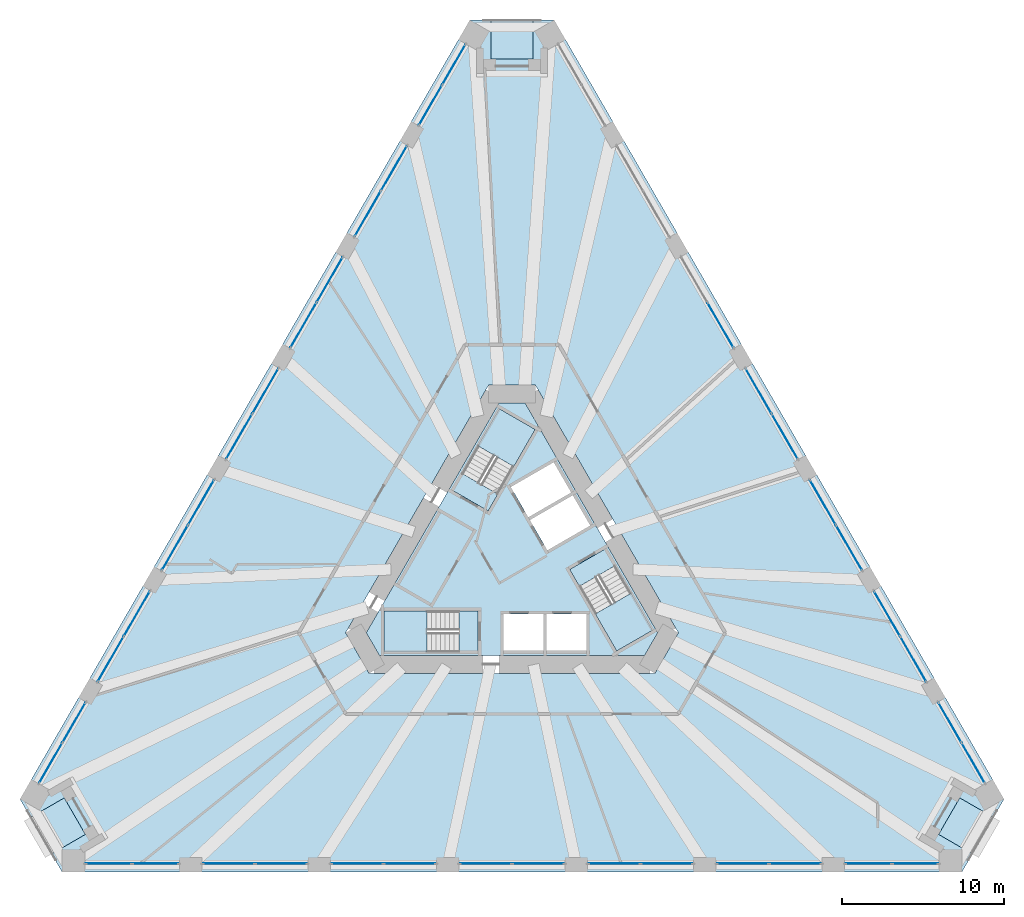
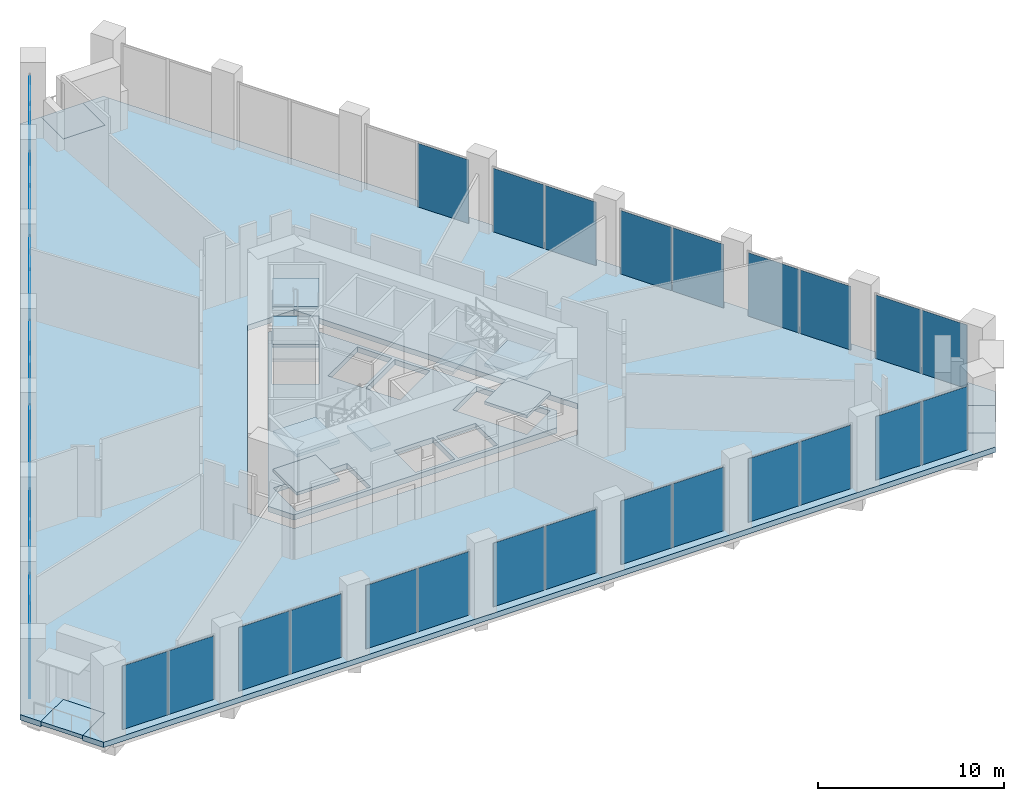
# One storey, part 12 of 20: 37 plates, 14 slabs, 22 elements without a shape of their own.
"""IFC4 building model written with IfcOpenShell, lengths in metres."""

import ifcopenshell
import ifcopenshell.guid

model = None  # the IFC model being written
_history = None  # IfcOwnerHistory: only IFC2X3 demands one
_inside = {}  # id of a spatial element -> (the spatial element, [elements in it])
_under = {}  # id of a project, library or spatial element -> (it, [spatial elements below it])
_declared = {}  # id of a project -> (the project, [libraries it declares])
_typed = {}  # id of a type object -> (the type object, [elements of that type])
_made_of = {}  # id of a material, layer set ... -> (it, [elements and type objects made of it])


def new_model(schema):
    """Start an empty IFC model of exactly this schema.

    Asked for "IFC4X3", IfcOpenShell would pick the latest addendum, in which some entities
    have other attributes; the version numbers below select the first issue.
    IFC2X3 requires an IfcOwnerHistory on every rooted entity: one is made here for all.
    """
    global model, _history
    if schema == "IFC4X3":
        model = ifcopenshell.file(schema_version=(4, 3, 0, 0))
    else:
        model = ifcopenshell.file(schema=schema)
    _inside.clear()
    _under.clear()
    _declared.clear()
    _typed.clear()
    _made_of.clear()
    _history = None
    if model.schema == "IFC2X3":
        org = make("IfcOrganization", Name="unknown")
        user = make(
            "IfcPersonAndOrganization",
            ThePerson=make("IfcPerson", FamilyName="unknown"),
            TheOrganization=org,
        )
        app = make(
            "IfcApplication",
            ApplicationDeveloper=org,
            Version="unknown",
            ApplicationFullName="unknown",
            ApplicationIdentifier="unknown",
        )
        _history = make(
            "IfcOwnerHistory",
            OwningUser=user,
            OwningApplication=app,
            ChangeAction="ADDED",
            CreationDate=0,
        )
    return model


def make(cls, **values):
    """One entity of the class cls with the attributes given. An attribute that is None is left unset."""
    return model.create_entity(
        cls, **{name: value for name, value in values.items() if value is not None}
    )


def rooted(cls, **values):
    """An entity with a GlobalId (a new one), such as an element, a storey or a relation."""
    return make(cls, GlobalId=ifcopenshell.guid.new(), OwnerHistory=_history, **values)


def si_unit(unit_type, name, prefix=None):
    """IfcSIUnit, for example si_unit("LENGTHUNIT", "METRE", prefix="MILLI")."""
    return make("IfcSIUnit", UnitType=unit_type, Prefix=prefix, Name=name)


def assignment(units):
    """IfcUnitAssignment: the units of a project."""
    return None if units is None else make("IfcUnitAssignment", Units=units)


def point(xyz):
    """IfcCartesianPoint."""
    return None if xyz is None else make("IfcCartesianPoint", Coordinates=xyz)


def direction(xyz):
    """IfcDirection."""
    return None if xyz is None else make("IfcDirection", DirectionRatios=xyz)


def frame(location, z_axis=None, x_axis=None):
    """IfcAxis2Placement3D, a coordinate frame: its origin and axes. An axis left out is left unset."""
    return make(
        "IfcAxis2Placement3D",
        Location=point(location),
        Axis=direction(z_axis),
        RefDirection=direction(x_axis),
    )


def frame_2d(location, x_axis=None):
    """IfcAxis2Placement2D, a coordinate frame in the plane: its origin and x axis."""
    return make(
        "IfcAxis2Placement2D", Location=point(location), RefDirection=direction(x_axis)
    )


def origin():
    """The frame at (0, 0, 0) with its axes left unset."""
    return frame((0.0, 0.0, 0.0))


def origin_2d():
    """The frame at (0, 0) in the plane with its x axis left unset."""
    return frame_2d((0.0, 0.0))


def place(relative_to, where):
    """IfcLocalPlacement: puts the frame where relative to a parent placement (None: the world)."""
    return make(
        "IfcLocalPlacement", PlacementRelTo=relative_to, RelativePlacement=where
    )


def context(
    kind, dimensions, precision=None, world=None, true_north=None, identifier=None
):
    """IfcGeometricRepresentationContext, for example the 3D "Model" context."""
    return make(
        "IfcGeometricRepresentationContext",
        ContextIdentifier=identifier,
        ContextType=kind,
        CoordinateSpaceDimension=dimensions,
        Precision=precision,
        WorldCoordinateSystem=world,
        TrueNorth=true_north,
    )


def subcontext(parent, identifier, kind, view, scale=None):
    """IfcGeometricRepresentationSubContext, for example "Body" below "Model"."""
    return make(
        "IfcGeometricRepresentationSubContext",
        ContextIdentifier=identifier,
        ContextType=kind,
        ParentContext=parent,
        TargetScale=scale,
        TargetView=view,
    )


def project(units=None, contexts=None):
    """IfcProject with its units and contexts."""
    return rooted(
        "IfcProject",
        Name="project",
        RepresentationContexts=contexts,
        UnitsInContext=assignment(units),
    )


def spatial(cls, under=None, at=None, **own):
    """A site, building, storey or space (cls), placed at a placement, below another one or the project."""
    s = rooted(cls, ObjectPlacement=at, **own)
    if under is not None:
        _under.setdefault(under.id(), (under, []))[1].append(s)
    return s


def polyline(points):
    """IfcPolyline through the points."""
    return make("IfcPolyline", Points=[point(p) for p in points])


def profile(cls, at=None, kind="AREA", **sizes):
    """A parametric profile (cls). Its sizes go by their IFC names, for example OverallWidth=200.0."""
    return make(cls, ProfileType=kind, Position=at, **sizes)


def rectangle(**sizes):
    """IfcRectangleProfileDef."""
    return profile("IfcRectangleProfileDef", **sizes)


def outline(outer, holes=None, kind="AREA"):
    """IfcArbitraryClosedProfileDef: a profile drawn as a closed curve; with holes, ...WithVoids."""
    if holes is None:
        return make("IfcArbitraryClosedProfileDef", ProfileType=kind, OuterCurve=outer)
    return make(
        "IfcArbitraryProfileDefWithVoids",
        ProfileType=kind,
        OuterCurve=outer,
        InnerCurves=holes,
    )


def extrude(swept, where, along, depth):
    """IfcExtrudedAreaSolid: the profile swept, set in the frame where, extruded along a direction by depth."""
    return make(
        "IfcExtrudedAreaSolid",
        SweptArea=swept,
        Position=where,
        ExtrudedDirection=direction(along),
        Depth=depth,
    )


def shape(context_of_items, identifier, shape_type, items):
    """IfcShapeRepresentation: the items that make up one representation, for example the "Body"."""
    return make(
        "IfcShapeRepresentation",
        ContextOfItems=context_of_items,
        RepresentationIdentifier=identifier,
        RepresentationType=shape_type,
        Items=items,
    )


def material(Name=None, Category=None):
    """IfcMaterial."""
    return make("IfcMaterial", Name=Name, Category=Category)


def layer(
    of_material, thickness, ventilated=None, Name=None, Category=None, Priority=None
):
    """IfcMaterialLayer: one layer of a wall or slab, of a material (None: an air gap)."""
    return make(
        "IfcMaterialLayer",
        Material=of_material,
        LayerThickness=thickness,
        IsVentilated=ventilated,
        Name=Name,
        Category=Category,
        Priority=Priority,
    )


def layer_set(layers, Name=None):
    """IfcMaterialLayerSet."""
    return make("IfcMaterialLayerSet", MaterialLayers=layers, LayerSetName=Name)


def made_of(thing, what):
    """Note that an element or type object is made of a material, layer set ...; save() writes the relation."""
    if what is not None:
        _made_of.setdefault(what.id(), (what, []))[1].append(thing)
    return thing


def type_object(cls, material=None, **own):
    """A type object (cls), such as IfcWallType, which elements share."""
    return made_of(rooted(cls, **own), material)


def element(
    cls,
    number,
    at=None,
    inside=None,
    cuts=None,
    type_object=None,
    material=None,
    context=None,
    identifier="Body",
    shape_type=None,
    held_by="IfcProductDefinitionShape",
    body=None,
    shapes=None,
    **own,
):
    """One element of the class cls, such as IfcWall. Its Tag is "e" and its number.

    at: its placement. inside: the storey or other place that contains it. cuts: it is an
    opening in that element (IfcRelVoidsElement). A single representation is given by context,
    identifier, shape_type and body (its items); several are given by shapes. held_by: the class
    of the entity that holds the representations. save() writes the other relations.
    """
    e = rooted(cls, Tag="e%d" % number, ObjectPlacement=at, **own)
    if body is not None:
        shapes = [shape(context, identifier, shape_type, body)]
    if shapes is not None:
        e.Representation = make(held_by, Representations=shapes)
    if inside is not None:
        _inside.setdefault(inside.id(), (inside, []))[1].append(e)
    if cuts is not None:
        rooted(
            "IfcRelVoidsElement", RelatingBuildingElement=cuts, RelatedOpeningElement=e
        )
    if type_object is not None:
        _typed.setdefault(type_object.id(), (type_object, []))[1].append(e)
    return made_of(e, material)


def aggregate(whole, parts):
    """IfcRelAggregates: a whole, such as a stair, and the parts it consists of."""
    return rooted("IfcRelAggregates", RelatingObject=whole, RelatedObjects=parts)


def save(model, path):
    """Write the relations noted so far, then the file.

    IfcRelAggregates (storeys below a building ...), IfcRelContainedInSpatialStructure (elements
    in a storey), IfcRelDefinesByType, IfcRelAssociatesMaterial and IfcRelDeclares: one each for
    every whole, place, type object, material and project.
    """
    for whole, parts in _under.values():
        aggregate(whole, parts)
    for where, things in _inside.values():
        rooted(
            "IfcRelContainedInSpatialStructure",
            RelatedElements=things,
            RelatingStructure=where,
        )
    for kind, things in _typed.values():
        rooted("IfcRelDefinesByType", RelatedObjects=things, RelatingType=kind)
    for what, things in _made_of.values():
        rooted("IfcRelAssociatesMaterial", RelatedObjects=things, RelatingMaterial=what)
    for by, libraries in _declared.values():
        rooted("IfcRelDeclares", RelatingContext=by, RelatedDefinitions=libraries)
    model.write(path)


model = new_model("IFC4")

# Units and contexts
model_context = context("Model", 3, precision=1e-05, world=origin(), true_north=direction((0.0, 1.0)))
body_context = subcontext(model_context, "Body", "Model", "MODEL_VIEW")
ifc_project = project(units=[si_unit("LENGTHUNIT", "METRE"), si_unit("AREAUNIT", "SQUARE_METRE"), si_unit("VOLUMEUNIT", "CUBIC_METRE"), si_unit("PLANEANGLEUNIT", "RADIAN"), si_unit("MASSUNIT", "GRAM", prefix="KILO")], contexts=[model_context])

# Site, building, storey
site_placement = place(None, origin())
site = spatial("IfcSite", under=ifc_project, at=site_placement, CompositionType="ELEMENT")
building_placement = place(site_placement, origin())
building = spatial("IfcBuilding", under=site, at=building_placement, Name="Tramontana Tower", CompositionType="ELEMENT")
storey_placement = place(building_placement, frame((0.0, 0.0, 10.0)))
storey = spatial("IfcBuildingStorey", under=building, at=storey_placement, Name="L01", CompositionType="ELEMENT", Elevation=10.0)

# Curtain wall, plates
ifc_material_1 = material(Name="Aluminum extrusion", Category="aluminium")
ifc_layer_1 = layer(ifc_material_1, 0.14990234375)
ifc_layer_set_1 = layer_set([ifc_layer_1], Name="CW2 Podium amenity curtain wall")
curtain_wall_type = type_object("IfcCurtainWallType", Name="CW2 Podium amenity curtain wall", PredefinedType="NOTDEFINED", material=ifc_layer_set_1)
curtain_wall_1_placement = place(storey_placement, origin())
curtain_wall_1 = element("IfcCurtainWall", 1, at=curtain_wall_1_placement, inside=storey, type_object=curtain_wall_type, Name="CW2 curtain wall L01 face 0 bay 1", PredefinedType="NOTDEFINED")
ifc_material_2 = material(Name="Low-iron double glazing unit", Category="glass")
ifc_layer_2 = layer(ifc_material_2, 0.031982421875)
ifc_layer_set_2 = layer_set([ifc_layer_2], Name="CW2-P Glazing panel 32")
plate_type = type_object("IfcPlateType", Name="CW2-P Glazing panel 32", PredefinedType="CURTAIN_PANEL", material=ifc_layer_set_2)
plate_1_placement = place(storey_placement, frame((-3.578125, 30.75244140625, 0.0), z_axis=(0.0, 0.0, 1.0), x_axis=(-0.5, -0.866025403784, 0.0)))
plate_1 = element("IfcPlate", 2, at=plate_1_placement, type_object=plate_type, Name="CW2 curtain wall L01 face 0 bay 1 panel 1.1", PredefinedType="CURTAIN_PANEL", context=body_context, shape_type="SweptSolid", body=[
    extrude(rectangle(XDim=2.819091796875, YDim=0.031982421875, at=origin_2d()), origin(), (0.0, 0.0, 1.0), 4.179931640625),
])
plate_2_placement = place(storey_placement, frame((-5.017578125, 28.25927734375, 0.0), z_axis=(0.0, 0.0, 1.0), x_axis=(-0.5, -0.866025403784, 0.0)))
plate_2 = element("IfcPlate", 3, at=plate_2_placement, type_object=plate_type, Name="CW2 curtain wall L01 face 0 bay 1 panel 2.1", PredefinedType="CURTAIN_PANEL", context=body_context, shape_type="SweptSolid", body=[
    extrude(rectangle(XDim=2.819091796875, YDim=0.031982421875, at=origin_2d()), origin(), (0.0, 0.0, 1.0), 4.179931640625),
])
aggregate(curtain_wall_1, [plate_1, plate_2])

curtain_wall_2_placement = place(storey_placement, origin())
curtain_wall_2 = element("IfcCurtainWall", 4, at=curtain_wall_2_placement, inside=storey, type_object=curtain_wall_type, Name="CW2 curtain wall L01 face 0 bay 2", PredefinedType="NOTDEFINED")
plate_3_placement = place(storey_placement, frame((-7.274658203125, 24.349853515625, 0.0), z_axis=(0.0, 0.0, 1.0), x_axis=(-0.5, -0.866025403784, 0.0)))
plate_3 = element("IfcPlate", 5, at=plate_3_placement, type_object=plate_type, Name="CW2 curtain wall L01 face 0 bay 2 panel 1.1", PredefinedType="CURTAIN_PANEL", context=body_context, shape_type="SweptSolid", body=[
    extrude(rectangle(XDim=3.1689453125, YDim=0.031982421875, at=origin_2d()), origin(), (0.0, 0.0, 1.0), 4.179931640625),
])
plate_4_placement = place(storey_placement, frame((-8.88916015625, 21.5537109375, 0.0), z_axis=(0.0, 0.0, 1.0), x_axis=(-0.5, -0.866025403784, 0.0)))
plate_4 = element("IfcPlate", 6, at=plate_4_placement, type_object=plate_type, Name="CW2 curtain wall L01 face 0 bay 2 panel 2.1", PredefinedType="CURTAIN_PANEL", context=body_context, shape_type="SweptSolid", body=[
    extrude(rectangle(XDim=3.1689453125, YDim=0.031982421875, at=origin_2d()), origin(), (0.0, 0.0, 1.0), 4.179931640625),
])
aggregate(curtain_wall_2, [plate_3, plate_4])

curtain_wall_3_placement = place(storey_placement, origin())
curtain_wall_3 = element("IfcCurtainWall", 7, at=curtain_wall_3_placement, inside=storey, type_object=curtain_wall_type, Name="CW2 curtain wall L01 face 0 bay 3", PredefinedType="NOTDEFINED")
plate_5_placement = place(storey_placement, frame((-11.233642578125, 17.492919921875, 0.0), z_axis=(0.0, 0.0, 1.0), x_axis=(-0.5, -0.866025403784, 0.0)))
plate_5 = element("IfcPlate", 8, at=plate_5_placement, type_object=plate_type, Name="CW2 curtain wall L01 face 0 bay 3 panel 1.1", PredefinedType="CURTAIN_PANEL", context=body_context, shape_type="SweptSolid", body=[
    extrude(rectangle(XDim=3.1689453125, YDim=0.031982421875, at=origin_2d()), origin(), (0.0, 0.0, 1.0), 4.179931640625),
])
plate_6_placement = place(storey_placement, frame((-12.84814453125, 14.696533203125, 0.0), z_axis=(0.0, 0.0, 1.0), x_axis=(-0.5, -0.866025403784, 0.0)))
plate_6 = element("IfcPlate", 9, at=plate_6_placement, type_object=plate_type, Name="CW2 curtain wall L01 face 0 bay 3 panel 2.1", PredefinedType="CURTAIN_PANEL", context=body_context, shape_type="SweptSolid", body=[
    extrude(rectangle(XDim=3.1689453125, YDim=0.031982421875, at=origin_2d()), origin(), (0.0, 0.0, 1.0), 4.179931640625),
])
aggregate(curtain_wall_3, [plate_5, plate_6])

curtain_wall_4_placement = place(storey_placement, origin())
curtain_wall_4 = element("IfcCurtainWall", 10, at=curtain_wall_4_placement, inside=storey, type_object=curtain_wall_type, Name="CW2 curtain wall L01 face 0 bay 4", PredefinedType="NOTDEFINED")
plate_7_placement = place(storey_placement, frame((-15.192626953125, 10.6357421875, 0.0), z_axis=(0.0, 0.0, 1.0), x_axis=(-0.5, -0.866025403784, 0.0)))
plate_7 = element("IfcPlate", 11, at=plate_7_placement, type_object=plate_type, Name="CW2 curtain wall L01 face 0 bay 4 panel 1.1", PredefinedType="CURTAIN_PANEL", context=body_context, shape_type="SweptSolid", body=[
    extrude(rectangle(XDim=3.1689453125, YDim=0.031982421875, at=origin_2d()), origin(), (0.0, 0.0, 1.0), 4.179931640625),
])
plate_8_placement = place(storey_placement, frame((-16.80712890625, 7.83935546875, 0.0), z_axis=(0.0, 0.0, 1.0), x_axis=(-0.5, -0.866025403784, 0.0)))
plate_8 = element("IfcPlate", 12, at=plate_8_placement, type_object=plate_type, Name="CW2 curtain wall L01 face 0 bay 4 panel 2.1", PredefinedType="CURTAIN_PANEL", context=body_context, shape_type="SweptSolid", body=[
    extrude(rectangle(XDim=3.1689453125, YDim=0.031982421875, at=origin_2d()), origin(), (0.0, 0.0, 1.0), 4.179931640625),
])
aggregate(curtain_wall_4, [plate_7, plate_8])

curtain_wall_5_placement = place(storey_placement, origin())
curtain_wall_5 = element("IfcCurtainWall", 13, at=curtain_wall_5_placement, inside=storey, type_object=curtain_wall_type, Name="CW2 curtain wall L01 face 0 bay 5", PredefinedType="NOTDEFINED")
plate_9_placement = place(storey_placement, frame((-19.151611328125, 3.778564453125, 0.0), z_axis=(0.0, 0.0, 1.0), x_axis=(-0.5, -0.866025403784, 0.0)))
plate_9 = element("IfcPlate", 14, at=plate_9_placement, type_object=plate_type, Name="CW2 curtain wall L01 face 0 bay 5 panel 1.1", PredefinedType="CURTAIN_PANEL", context=body_context, shape_type="SweptSolid", body=[
    extrude(rectangle(XDim=3.1689453125, YDim=0.031982421875, at=origin_2d()), origin(), (0.0, 0.0, 1.0), 4.179931640625),
])
plate_10_placement = place(storey_placement, frame((-20.76611328125, 0.982177734375, 0.0), z_axis=(0.0, 0.0, 1.0), x_axis=(-0.5, -0.866025403784, 0.0)))
plate_10 = element("IfcPlate", 15, at=plate_10_placement, type_object=plate_type, Name="CW2 curtain wall L01 face 0 bay 5 panel 2.1", PredefinedType="CURTAIN_PANEL", context=body_context, shape_type="SweptSolid", body=[
    extrude(rectangle(XDim=3.1689453125, YDim=0.031982421875, at=origin_2d()), origin(), (0.0, 0.0, 1.0), 4.179931640625),
])
aggregate(curtain_wall_5, [plate_9, plate_10])

curtain_wall_6_placement = place(storey_placement, origin())
curtain_wall_6 = element("IfcCurtainWall", 16, at=curtain_wall_6_placement, inside=storey, type_object=curtain_wall_type, Name="CW2 curtain wall L01 face 0 bay 6", PredefinedType="NOTDEFINED")
plate_11_placement = place(storey_placement, frame((-23.110595703125, -3.07861328125, 0.0), z_axis=(0.0, 0.0, 1.0), x_axis=(-0.5, -0.866025403784, 0.0)))
plate_11 = element("IfcPlate", 17, at=plate_11_placement, type_object=plate_type, Name="CW2 curtain wall L01 face 0 bay 6 panel 1.1", PredefinedType="CURTAIN_PANEL", context=body_context, shape_type="SweptSolid", body=[
    extrude(rectangle(XDim=3.1689453125, YDim=0.031982421875, at=origin_2d()), origin(), (0.0, 0.0, 1.0), 4.179931640625),
])
plate_12_placement = place(storey_placement, frame((-24.72509765625, -5.875, 0.0), z_axis=(0.0, 0.0, 1.0), x_axis=(-0.5, -0.866025403784, 0.0)))
plate_12 = element("IfcPlate", 18, at=plate_12_placement, type_object=plate_type, Name="CW2 curtain wall L01 face 0 bay 6 panel 2.1", PredefinedType="CURTAIN_PANEL", context=body_context, shape_type="SweptSolid", body=[
    extrude(rectangle(XDim=3.1689453125, YDim=0.031982421875, at=origin_2d()), origin(), (0.0, 0.0, 1.0), 4.179931640625),
])
aggregate(curtain_wall_6, [plate_11, plate_12])

curtain_wall_7_placement = place(storey_placement, origin())
curtain_wall_7 = element("IfcCurtainWall", 19, at=curtain_wall_7_placement, inside=storey, type_object=curtain_wall_type, Name="CW2 curtain wall L01 face 0 bay 7", PredefinedType="NOTDEFINED")
plate_13_placement = place(storey_placement, frame((-26.98193359375, -9.7841796875, 0.0), z_axis=(0.0, 0.0, 1.0), x_axis=(-0.5, -0.866025403784, 0.0)))
plate_13 = element("IfcPlate", 20, at=plate_13_placement, type_object=plate_type, Name="CW2 curtain wall L01 face 0 bay 7 panel 1.1", PredefinedType="CURTAIN_PANEL", context=body_context, shape_type="SweptSolid", body=[
    extrude(rectangle(XDim=2.819091796875, YDim=0.031982421875, at=origin_2d()), origin(), (0.0, 0.0, 1.0), 4.179931640625),
])
plate_14_placement = place(storey_placement, frame((-28.42138671875, -12.27734375, 0.0), z_axis=(0.0, 0.0, 1.0), x_axis=(-0.5, -0.866025403784, 0.0)))
plate_14 = element("IfcPlate", 21, at=plate_14_placement, type_object=plate_type, Name="CW2 curtain wall L01 face 0 bay 7 panel 2.1", PredefinedType="CURTAIN_PANEL", context=body_context, shape_type="SweptSolid", body=[
    extrude(rectangle(XDim=2.819091796875, YDim=0.031982421875, at=origin_2d()), origin(), (0.0, 0.0, 1.0), 4.179931640625),
])
aggregate(curtain_wall_7, [plate_13, plate_14])

curtain_wall_8_placement = place(storey_placement, origin())
curtain_wall_8 = element("IfcCurtainWall", 22, at=curtain_wall_8_placement, inside=storey, type_object=curtain_wall_type, Name="CW2 curtain wall L01 face 1 bay 1", PredefinedType="NOTDEFINED")
plate_15_placement = place(storey_placement, frame((-24.84326171875, -18.47509765625, 0.0), z_axis=(0.0, 0.0, 1.0), x_axis=(1.0, 0.0, 0.0)))
plate_15 = element("IfcPlate", 23, at=plate_15_placement, type_object=plate_type, Name="CW2 curtain wall L01 face 1 bay 1 panel 1.1", PredefinedType="CURTAIN_PANEL", context=body_context, shape_type="SweptSolid", body=[
    extrude(rectangle(XDim=2.819091796875, YDim=0.031982421875, at=origin_2d()), origin(), (0.0, 0.0, 1.0), 4.179931640625),
])
plate_16_placement = place(storey_placement, frame((-21.96435546875, -18.47509765625, 0.0), z_axis=(0.0, 0.0, 1.0), x_axis=(1.0, 0.0, 0.0)))
plate_16 = element("IfcPlate", 24, at=plate_16_placement, type_object=plate_type, Name="CW2 curtain wall L01 face 1 bay 1 panel 2.1", PredefinedType="CURTAIN_PANEL", context=body_context, shape_type="SweptSolid", body=[
    extrude(rectangle(XDim=2.819091796875, YDim=0.031982421875, at=origin_2d()), origin(), (0.0, 0.0, 1.0), 4.179931640625),
])
aggregate(curtain_wall_8, [plate_15, plate_16])

curtain_wall_9_placement = place(storey_placement, origin())
curtain_wall_9 = element("IfcCurtainWall", 25, at=curtain_wall_9_placement, inside=storey, type_object=curtain_wall_type, Name="CW2 curtain wall L01 face 1 bay 2", PredefinedType="NOTDEFINED")
plate_17_placement = place(storey_placement, frame((-17.450439453125, -18.47509765625, 0.0), z_axis=(0.0, 0.0, 1.0), x_axis=(1.0, 0.0, 0.0)))
plate_17 = element("IfcPlate", 26, at=plate_17_placement, type_object=plate_type, Name="CW2 curtain wall L01 face 1 bay 2 panel 1.1", PredefinedType="CURTAIN_PANEL", context=body_context, shape_type="SweptSolid", body=[
    extrude(rectangle(XDim=3.1689453125, YDim=0.031982421875, at=origin_2d()), origin(), (0.0, 0.0, 1.0), 4.179931640625),
])
plate_18_placement = place(storey_placement, frame((-14.221435546875, -18.47509765625, 0.0), z_axis=(0.0, 0.0, 1.0), x_axis=(1.0, 0.0, 0.0)))
plate_18 = element("IfcPlate", 27, at=plate_18_placement, type_object=plate_type, Name="CW2 curtain wall L01 face 1 bay 2 panel 2.1", PredefinedType="CURTAIN_PANEL", context=body_context, shape_type="SweptSolid", body=[
    extrude(rectangle(XDim=3.1689453125, YDim=0.031982421875, at=origin_2d()), origin(), (0.0, 0.0, 1.0), 4.179931640625),
])
aggregate(curtain_wall_9, [plate_17, plate_18])

curtain_wall_10_placement = place(storey_placement, origin())
curtain_wall_10 = element("IfcCurtainWall", 28, at=curtain_wall_10_placement, inside=storey, type_object=curtain_wall_type, Name="CW2 curtain wall L01 face 1 bay 3", PredefinedType="NOTDEFINED")
plate_19_placement = place(storey_placement, frame((-9.532470703125, -18.47509765625, 0.0), z_axis=(0.0, 0.0, 1.0), x_axis=(1.0, 0.0, 0.0)))
plate_19 = element("IfcPlate", 29, at=plate_19_placement, type_object=plate_type, Name="CW2 curtain wall L01 face 1 bay 3 panel 1.1", PredefinedType="CURTAIN_PANEL", context=body_context, shape_type="SweptSolid", body=[
    extrude(rectangle(XDim=3.1689453125, YDim=0.031982421875, at=origin_2d()), origin(), (0.0, 0.0, 1.0), 4.179931640625),
])
plate_20_placement = place(storey_placement, frame((-6.303466796875, -18.47509765625, 0.0), z_axis=(0.0, 0.0, 1.0), x_axis=(1.0, 0.0, 0.0)))
plate_20 = element("IfcPlate", 30, at=plate_20_placement, type_object=plate_type, Name="CW2 curtain wall L01 face 1 bay 3 panel 2.1", PredefinedType="CURTAIN_PANEL", context=body_context, shape_type="SweptSolid", body=[
    extrude(rectangle(XDim=3.1689453125, YDim=0.031982421875, at=origin_2d()), origin(), (0.0, 0.0, 1.0), 4.179931640625),
])
aggregate(curtain_wall_10, [plate_19, plate_20])

curtain_wall_11_placement = place(storey_placement, origin())
curtain_wall_11 = element("IfcCurtainWall", 31, at=curtain_wall_11_placement, inside=storey, type_object=curtain_wall_type, Name="CW2 curtain wall L01 face 1 bay 4", PredefinedType="NOTDEFINED")
plate_21_placement = place(storey_placement, frame((-1.614501953125, -18.47509765625, 0.0), z_axis=(0.0, 0.0, 1.0), x_axis=(1.0, 0.0, 0.0)))
plate_21 = element("IfcPlate", 32, at=plate_21_placement, type_object=plate_type, Name="CW2 curtain wall L01 face 1 bay 4 panel 1.1", PredefinedType="CURTAIN_PANEL", context=body_context, shape_type="SweptSolid", body=[
    extrude(rectangle(XDim=3.1689453125, YDim=0.031982421875, at=origin_2d()), origin(), (0.0, 0.0, 1.0), 4.179931640625),
])
plate_22_placement = place(storey_placement, frame((1.614501953125, -18.47509765625, 0.0), z_axis=(0.0, 0.0, 1.0), x_axis=(1.0, 0.0, 0.0)))
plate_22 = element("IfcPlate", 33, at=plate_22_placement, type_object=plate_type, Name="CW2 curtain wall L01 face 1 bay 4 panel 2.1", PredefinedType="CURTAIN_PANEL", context=body_context, shape_type="SweptSolid", body=[
    extrude(rectangle(XDim=3.1689453125, YDim=0.031982421875, at=origin_2d()), origin(), (0.0, 0.0, 1.0), 4.179931640625),
])
aggregate(curtain_wall_11, [plate_21, plate_22])

curtain_wall_12_placement = place(storey_placement, origin())
curtain_wall_12 = element("IfcCurtainWall", 34, at=curtain_wall_12_placement, inside=storey, type_object=curtain_wall_type, Name="CW2 curtain wall L01 face 1 bay 5", PredefinedType="NOTDEFINED")
plate_23_placement = place(storey_placement, frame((6.303466796875, -18.47509765625, 0.0), z_axis=(0.0, 0.0, 1.0), x_axis=(1.0, 0.0, 0.0)))
plate_23 = element("IfcPlate", 35, at=plate_23_placement, type_object=plate_type, Name="CW2 curtain wall L01 face 1 bay 5 panel 1.1", PredefinedType="CURTAIN_PANEL", context=body_context, shape_type="SweptSolid", body=[
    extrude(rectangle(XDim=3.1689453125, YDim=0.031982421875, at=origin_2d()), origin(), (0.0, 0.0, 1.0), 4.179931640625),
])
plate_24_placement = place(storey_placement, frame((9.532470703125, -18.47509765625, 0.0), z_axis=(0.0, 0.0, 1.0), x_axis=(1.0, 0.0, 0.0)))
plate_24 = element("IfcPlate", 36, at=plate_24_placement, type_object=plate_type, Name="CW2 curtain wall L01 face 1 bay 5 panel 2.1", PredefinedType="CURTAIN_PANEL", context=body_context, shape_type="SweptSolid", body=[
    extrude(rectangle(XDim=3.1689453125, YDim=0.031982421875, at=origin_2d()), origin(), (0.0, 0.0, 1.0), 4.179931640625),
])
aggregate(curtain_wall_12, [plate_23, plate_24])

curtain_wall_13_placement = place(storey_placement, origin())
curtain_wall_13 = element("IfcCurtainWall", 37, at=curtain_wall_13_placement, inside=storey, type_object=curtain_wall_type, Name="CW2 curtain wall L01 face 1 bay 6", PredefinedType="NOTDEFINED")
plate_25_placement = place(storey_placement, frame((14.221435546875, -18.47509765625, 0.0), z_axis=(0.0, 0.0, 1.0), x_axis=(1.0, 0.0, 0.0)))
plate_25 = element("IfcPlate", 38, at=plate_25_placement, type_object=plate_type, Name="CW2 curtain wall L01 face 1 bay 6 panel 1.1", PredefinedType="CURTAIN_PANEL", context=body_context, shape_type="SweptSolid", body=[
    extrude(rectangle(XDim=3.1689453125, YDim=0.031982421875, at=origin_2d()), origin(), (0.0, 0.0, 1.0), 4.179931640625),
])
plate_26_placement = place(storey_placement, frame((17.450439453125, -18.47509765625, 0.0), z_axis=(0.0, 0.0, 1.0), x_axis=(1.0, 0.0, 0.0)))
plate_26 = element("IfcPlate", 39, at=plate_26_placement, type_object=plate_type, Name="CW2 curtain wall L01 face 1 bay 6 panel 2.1", PredefinedType="CURTAIN_PANEL", context=body_context, shape_type="SweptSolid", body=[
    extrude(rectangle(XDim=3.1689453125, YDim=0.031982421875, at=origin_2d()), origin(), (0.0, 0.0, 1.0), 4.179931640625),
])
aggregate(curtain_wall_13, [plate_25, plate_26])

curtain_wall_14_placement = place(storey_placement, origin())
curtain_wall_14 = element("IfcCurtainWall", 40, at=curtain_wall_14_placement, inside=storey, type_object=curtain_wall_type, Name="CW2 curtain wall L01 face 1 bay 7", PredefinedType="NOTDEFINED")
plate_27_placement = place(storey_placement, frame((21.96435546875, -18.47509765625, 0.0), z_axis=(0.0, 0.0, 1.0), x_axis=(1.0, 0.0, 0.0)))
plate_27 = element("IfcPlate", 41, at=plate_27_placement, type_object=plate_type, Name="CW2 curtain wall L01 face 1 bay 7 panel 1.1", PredefinedType="CURTAIN_PANEL", context=body_context, shape_type="SweptSolid", body=[
    extrude(rectangle(XDim=2.819091796875, YDim=0.031982421875, at=origin_2d()), origin(), (0.0, 0.0, 1.0), 4.179931640625),
])
plate_28_placement = place(storey_placement, frame((24.84326171875, -18.47509765625, 0.0), z_axis=(0.0, 0.0, 1.0), x_axis=(1.0, 0.0, 0.0)))
plate_28 = element("IfcPlate", 42, at=plate_28_placement, type_object=plate_type, Name="CW2 curtain wall L01 face 1 bay 7 panel 2.1", PredefinedType="CURTAIN_PANEL", context=body_context, shape_type="SweptSolid", body=[
    extrude(rectangle(XDim=2.819091796875, YDim=0.031982421875, at=origin_2d()), origin(), (0.0, 0.0, 1.0), 4.179931640625),
])
aggregate(curtain_wall_14, [plate_27, plate_28])

curtain_wall_15_placement = place(storey_placement, origin())
curtain_wall_15 = element("IfcCurtainWall", 43, at=curtain_wall_15_placement, inside=storey, type_object=curtain_wall_type, Name="CW2 curtain wall L01 face 2 bay 1", PredefinedType="NOTDEFINED")
plate_29_placement = place(storey_placement, frame((28.42138671875, -12.27734375, 0.0), z_axis=(0.0, 0.0, 1.0), x_axis=(-0.5, 0.866025403784, 0.0)))
plate_29 = element("IfcPlate", 44, at=plate_29_placement, type_object=plate_type, Name="CW2 curtain wall L01 face 2 bay 1 panel 1.1", PredefinedType="CURTAIN_PANEL", context=body_context, shape_type="SweptSolid", body=[
    extrude(rectangle(XDim=2.819091796875, YDim=0.031982421875, at=origin_2d()), origin(), (0.0, 0.0, 1.0), 4.179931640625),
])
plate_30_placement = place(storey_placement, frame((26.98193359375, -9.7841796875, 0.0), z_axis=(0.0, 0.0, 1.0), x_axis=(-0.5, 0.866025403784, 0.0)))
plate_30 = element("IfcPlate", 45, at=plate_30_placement, type_object=plate_type, Name="CW2 curtain wall L01 face 2 bay 1 panel 2.1", PredefinedType="CURTAIN_PANEL", context=body_context, shape_type="SweptSolid", body=[
    extrude(rectangle(XDim=2.819091796875, YDim=0.031982421875, at=origin_2d()), origin(), (0.0, 0.0, 1.0), 4.179931640625),
])
aggregate(curtain_wall_15, [plate_29, plate_30])

curtain_wall_16_placement = place(storey_placement, origin())
curtain_wall_16 = element("IfcCurtainWall", 46, at=curtain_wall_16_placement, inside=storey, type_object=curtain_wall_type, Name="CW2 curtain wall L01 face 2 bay 2", PredefinedType="NOTDEFINED")
plate_31_placement = place(storey_placement, frame((24.72509765625, -5.875, 0.0), z_axis=(0.0, 0.0, 1.0), x_axis=(-0.5, 0.866025403784, 0.0)))
plate_31 = element("IfcPlate", 47, at=plate_31_placement, type_object=plate_type, Name="CW2 curtain wall L01 face 2 bay 2 panel 1.1", PredefinedType="CURTAIN_PANEL", context=body_context, shape_type="SweptSolid", body=[
    extrude(rectangle(XDim=3.1689453125, YDim=0.031982421875, at=origin_2d()), origin(), (0.0, 0.0, 1.0), 4.179931640625),
])
plate_32_placement = place(storey_placement, frame((23.110595703125, -3.07861328125, 0.0), z_axis=(0.0, 0.0, 1.0), x_axis=(-0.5, 0.866025403784, 0.0)))
plate_32 = element("IfcPlate", 48, at=plate_32_placement, type_object=plate_type, Name="CW2 curtain wall L01 face 2 bay 2 panel 2.1", PredefinedType="CURTAIN_PANEL", context=body_context, shape_type="SweptSolid", body=[
    extrude(rectangle(XDim=3.1689453125, YDim=0.031982421875, at=origin_2d()), origin(), (0.0, 0.0, 1.0), 4.179931640625),
])
aggregate(curtain_wall_16, [plate_31, plate_32])

curtain_wall_17_placement = place(storey_placement, origin())
curtain_wall_17 = element("IfcCurtainWall", 49, at=curtain_wall_17_placement, inside=storey, type_object=curtain_wall_type, Name="CW2 curtain wall L01 face 2 bay 3", PredefinedType="NOTDEFINED")
plate_33_placement = place(storey_placement, frame((20.76611328125, 0.982177734375, 0.0), z_axis=(0.0, 0.0, 1.0), x_axis=(-0.5, 0.866025403784, 0.0)))
plate_33 = element("IfcPlate", 50, at=plate_33_placement, type_object=plate_type, Name="CW2 curtain wall L01 face 2 bay 3 panel 1.1", PredefinedType="CURTAIN_PANEL", context=body_context, shape_type="SweptSolid", body=[
    extrude(rectangle(XDim=3.1689453125, YDim=0.031982421875, at=origin_2d()), origin(), (0.0, 0.0, 1.0), 4.179931640625),
])
plate_34_placement = place(storey_placement, frame((19.151611328125, 3.778564453125, 0.0), z_axis=(0.0, 0.0, 1.0), x_axis=(-0.5, 0.866025403784, 0.0)))
plate_34 = element("IfcPlate", 51, at=plate_34_placement, type_object=plate_type, Name="CW2 curtain wall L01 face 2 bay 3 panel 2.1", PredefinedType="CURTAIN_PANEL", context=body_context, shape_type="SweptSolid", body=[
    extrude(rectangle(XDim=3.1689453125, YDim=0.031982421875, at=origin_2d()), origin(), (0.0, 0.0, 1.0), 4.179931640625),
])
aggregate(curtain_wall_17, [plate_33, plate_34])

curtain_wall_18_placement = place(storey_placement, origin())
curtain_wall_18 = element("IfcCurtainWall", 52, at=curtain_wall_18_placement, inside=storey, type_object=curtain_wall_type, Name="CW2 curtain wall L01 face 2 bay 4", PredefinedType="NOTDEFINED")
plate_35_placement = place(storey_placement, frame((16.80712890625, 7.83935546875, 0.0), z_axis=(0.0, 0.0, 1.0), x_axis=(-0.5, 0.866025403784, 0.0)))
plate_35 = element("IfcPlate", 53, at=plate_35_placement, type_object=plate_type, Name="CW2 curtain wall L01 face 2 bay 4 panel 1.1", PredefinedType="CURTAIN_PANEL", context=body_context, shape_type="SweptSolid", body=[
    extrude(rectangle(XDim=3.1689453125, YDim=0.031982421875, at=origin_2d()), origin(), (0.0, 0.0, 1.0), 4.179931640625),
])
plate_36_placement = place(storey_placement, frame((15.192626953125, 10.6357421875, 0.0), z_axis=(0.0, 0.0, 1.0), x_axis=(-0.5, 0.866025403784, 0.0)))
plate_36 = element("IfcPlate", 54, at=plate_36_placement, type_object=plate_type, Name="CW2 curtain wall L01 face 2 bay 4 panel 2.1", PredefinedType="CURTAIN_PANEL", context=body_context, shape_type="SweptSolid", body=[
    extrude(rectangle(XDim=3.1689453125, YDim=0.031982421875, at=origin_2d()), origin(), (0.0, 0.0, 1.0), 4.179931640625),
])
aggregate(curtain_wall_18, [plate_35, plate_36])

# Curtain wall, plate
curtain_wall_19_placement = place(storey_placement, origin())
curtain_wall_19 = element("IfcCurtainWall", 55, at=curtain_wall_19_placement, inside=storey, type_object=curtain_wall_type, Name="CW2 curtain wall L01 face 2 bay 5", PredefinedType="NOTDEFINED")
plate_37_placement = place(storey_placement, frame((12.84814453125, 14.696533203125, 0.0), z_axis=(0.0, 0.0, 1.0), x_axis=(-0.5, 0.866025403784, 0.0)))
plate_37 = element("IfcPlate", 56, at=plate_37_placement, type_object=plate_type, Name="CW2 curtain wall L01 face 2 bay 5 panel 1.1", PredefinedType="CURTAIN_PANEL", context=body_context, shape_type="SweptSolid", body=[
    extrude(rectangle(XDim=3.1689453125, YDim=0.031982421875, at=origin_2d()), origin(), (0.0, 0.0, 1.0), 4.179931640625),
])
aggregate(curtain_wall_19, [plate_37])

# Slabs
ifc_material_3 = material(Name="Precast concrete 50 MPa", Category="concrete")
ifc_layer_3 = layer(ifc_material_3, 0.25)
ifc_layer_set_3 = layer_set([ifc_layer_3], Name="LT1 Loggia floor tray 250")
slab_type_1 = type_object("IfcSlabType", Name="LT1 Loggia floor tray 250", PredefinedType="FLOOR", material=ifc_layer_set_3)
slab_1_placement = place(storey_placement, frame((0.0, 0.0, -0.25)))
element("IfcSlab", 57, at=slab_1_placement, inside=storey, type_object=slab_type_1, Name="Corner loggia floor L01 K00", PredefinedType="FLOOR", context=body_context, shape_type="SweptSolid", body=[
    extrude(outline(polyline([(1.300048828125, 33.5), (1.300048828125, 31.10009765625), (-1.300048828125, 31.10009765625), (-1.300048828125, 33.5), (1.300048828125, 33.5)])), origin(), (0.0, 0.0, 1.0), 0.25),
])
slab_2_placement = place(storey_placement, frame((0.0, 0.0, -0.25)))
element("IfcSlab", 58, at=slab_2_placement, inside=storey, type_object=slab_type_1, Name="Corner loggia floor L01 K01", PredefinedType="FLOOR", context=body_context, shape_type="SweptSolid", body=[
    extrude(outline(polyline([(-29.661865234375, -15.624267578125), (-27.58349609375, -14.424072265625), (-26.283447265625, -16.67578125), (-28.36181640625, -17.875732421875), (-29.661865234375, -15.624267578125)])), origin(), (0.0, 0.0, 1.0), 0.25),
])
slab_3_placement = place(storey_placement, frame((0.0, 0.0, -0.25)))
element("IfcSlab", 59, at=slab_3_placement, inside=storey, type_object=slab_type_1, Name="Corner loggia floor L01 K02", PredefinedType="FLOOR", context=body_context, shape_type="SweptSolid", body=[
    extrude(outline(polyline([(28.36181640625, -17.875732421875), (26.283447265625, -16.67578125), (27.58349609375, -14.424072265625), (29.661865234375, -15.624267578125), (28.36181640625, -17.875732421875)])), origin(), (0.0, 0.0, 1.0), 0.25),
])
ifc_material_4 = material(Name="Concrete 40 MPa", Category="concrete")
ifc_layer_4 = layer(ifc_material_4, 0.35009765625)
ifc_layer_set_4 = layer_set([ifc_layer_4], Name="PT FLAT SLAB 350 40 MPa")
slab_type_2 = type_object("IfcSlabType", Name="PT FLAT SLAB 350 40 MPa", PredefinedType="FLOOR", material=ifc_layer_set_4)
slab_4_placement = place(storey_placement, frame((0.0, 0.0, -0.35009765625)))
element("IfcSlab", 60, at=slab_4_placement, inside=storey, type_object=slab_type_2, Name="Floor slab L01", PredefinedType="FLOOR", context=body_context, shape_type="SweptSolid", body=[
    extrude(outline(polyline([(29.661865234375, -15.624267578125), (27.58349609375, -14.42431640625), (26.283447265625, -16.67578125), (28.36181640625, -17.875732421875), (27.712890625, -19.0), (-27.712890625, -19.0), (-28.36181640625, -17.875732421875), (-26.283447265625, -16.67578125), (-27.58349609375, -14.42431640625), (-29.661865234375, -15.624267578125), (-30.310791015625, -14.5), (-2.59814453125, 33.5), (-1.300048828125, 33.5), (-1.300048828125, 31.10009765625), (1.300048828125, 31.10009765625), (1.300048828125, 33.5), (2.59814453125, 33.5), (30.310791015625, -14.5), (29.661865234375, -15.624267578125)]), holes=[polyline([(-10.248046875, -4.25), (-8.8046875, -6.75), (8.8046875, -6.75), (10.248046875, -4.25), (1.443359375, 11.0), (-1.443359375, 11.0), (-10.248046875, -4.25)])]), origin(), (0.0, 0.0, 1.0), 0.35009765625),
])
slab_5_placement = place(storey_placement, frame((0.0, 0.0, -0.35009765625)))
element("IfcSlab", 61, at=slab_5_placement, inside=storey, type_object=slab_type_2, Name="Core floor slab L01", PredefinedType="FLOOR", context=body_context, shape_type="SweptSolid", body=[
    extrude(outline(polyline([(8.977783203125, -4.25), (8.16943359375, -5.64990234375), (-8.16943359375, -5.64990234375), (-8.977783203125, -4.25), (-0.808349609375, 9.89990234375), (0.808349609375, 9.89990234375), (8.977783203125, -4.25)]), holes=[polyline([(8.659912109375, -4.099365234375), (6.35986328125, -0.115478515625), (4.151611328125, -1.390625), (6.451416015625, -5.374267578125), (8.659912109375, -4.099365234375)]), polyline([(3.829833984375, 4.2666015625), (1.101806640625, 2.69140625), (2.177001953125, 0.82958984375), (4.90478515625, 2.404541015625), (3.829833984375, 4.2666015625)]), polyline([(4.590087890625, -3.10009765625), (2.139892578125, -3.10009765625), (2.139892578125, -5.449951171875), (4.590087890625, -5.449951171875), (4.590087890625, -3.10009765625)]), polyline([(2.65478515625, 6.3017578125), (-0.072998046875, 4.726806640625), (1.001953125, 2.86474609375), (3.729736328125, 4.439697265625), (2.65478515625, 6.3017578125)]), polyline([(1.93994140625, -5.449951171875), (1.93994140625, -3.10009765625), (-0.510009765625, -3.10009765625), (-0.510009765625, -5.449951171875), (1.93994140625, -5.449951171875)]), polyline([(-0.77978515625, 9.54931640625), (-3.079833984375, 5.565673828125), (-0.87158203125, 4.29052734375), (1.428466796875, 8.2744140625), (-0.77978515625, 9.54931640625)]), polyline([(-7.8798828125, -5.449951171875), (-3.280029296875, -5.449951171875), (-3.280029296875, -2.89990234375), (-7.8798828125, -2.89990234375), (-7.8798828125, -5.449951171875)])]), origin(), (0.0, 0.0, 1.0), 0.35009765625),
])

# Stair, slabs
ifc_material_5 = material(Name="Concrete 40 MPa", Category="concrete")
stair_type = type_object("IfcStairType", Name="EXIT STAIR 32 RISERS", PredefinedType="HALF_TURN_STAIR", material=ifc_material_5)
stair_1_placement = place(storey_placement, origin())
stair_1 = element("IfcStair", 62, at=stair_1_placement, inside=storey, type_object=stair_type, Name="L01 Exit stair ST1", PredefinedType="HALF_TURN_STAIR")
ifc_material_6 = material(Name="Concrete 40 MPa", Category="concrete")
ifc_layer_5 = layer(ifc_material_6, 0.199951171875)
ifc_layer_set_5 = layer_set([ifc_layer_5], Name="STAIR LANDING 200")
slab_type_3 = type_object("IfcSlabType", Name="STAIR LANDING 200", PredefinedType="LANDING", material=ifc_layer_set_5)
slab_6_placement = place(storey_placement, frame((0.0, 0.0, 1.050048828125)))
slab_6 = element("IfcSlab", 63, at=slab_6_placement, type_object=slab_type_3, Name="ST1 landing 1", PredefinedType="LANDING", context=body_context, shape_type="SweptSolid", body=[
    extrude(outline(polyline([(0.108642578125, 5.988037109375), (1.428466796875, 8.274169921875), (-0.77978515625, 9.54931640625), (-2.099853515625, 7.262939453125), (0.108642578125, 5.988037109375)])), origin(), (0.0, 0.0, 1.0), 0.199951171875),
])
slab_7_placement = place(storey_placement, frame((0.0, 0.0, 2.300048828125)))
slab_7 = element("IfcSlab", 64, at=slab_7_placement, type_object=slab_type_3, Name="ST1 landing 2", PredefinedType="LANDING", context=body_context, shape_type="SweptSolid", body=[
    extrude(outline(polyline([(-1.471435546875, 3.251220703125), (-0.87158203125, 4.29052734375), (-3.079833984375, 5.565673828125), (-3.679931640625, 4.5263671875), (-1.471435546875, 3.251220703125)])), origin(), (0.0, 0.0, 1.0), 0.199951171875),
])
slab_8_placement = place(storey_placement, frame((0.0, 0.0, 3.550048828125)))
slab_8 = element("IfcSlab", 65, at=slab_8_placement, type_object=slab_type_3, Name="ST1 landing 3", PredefinedType="LANDING", context=body_context, shape_type="SweptSolid", body=[
    extrude(outline(polyline([(0.108642578125, 5.988037109375), (1.428466796875, 8.274169921875), (-0.77978515625, 9.54931640625), (-2.099853515625, 7.262939453125), (0.108642578125, 5.988037109375)])), origin(), (0.0, 0.0, 1.0), 0.199951171875),
])
aggregate(stair_1, [slab_6, slab_7, slab_8])

stair_2_placement = place(storey_placement, origin())
stair_2 = element("IfcStair", 66, at=stair_2_placement, inside=storey, type_object=stair_type, Name="L01 Exit stair ST2", PredefinedType="HALF_TURN_STAIR")
slab_9_placement = place(storey_placement, frame((0.0, 0.0, 1.050048828125)))
slab_9 = element("IfcSlab", 67, at=slab_9_placement, type_object=slab_type_3, Name="ST2 landing 1", PredefinedType="LANDING", context=body_context, shape_type="SweptSolid", body=[
    extrude(outline(polyline([(-5.239990234375, -2.89990234375), (-7.8798828125, -2.89990234375), (-7.8798828125, -5.449951171875), (-5.239990234375, -5.449951171875), (-5.239990234375, -2.89990234375)])), origin(), (0.0, 0.0, 1.0), 0.199951171875),
])
slab_10_placement = place(storey_placement, frame((0.0, 0.0, 2.300048828125)))
slab_10 = element("IfcSlab", 68, at=slab_10_placement, type_object=slab_type_3, Name="ST2 landing 2", PredefinedType="LANDING", context=body_context, shape_type="SweptSolid", body=[
    extrude(outline(polyline([(-2.080078125, -2.89990234375), (-3.280029296875, -2.89990234375), (-3.280029296875, -5.449951171875), (-2.080078125, -5.449951171875), (-2.080078125, -2.89990234375)])), origin(), (0.0, 0.0, 1.0), 0.199951171875),
])
slab_11_placement = place(storey_placement, frame((0.0, 0.0, 3.550048828125)))
slab_11 = element("IfcSlab", 69, at=slab_11_placement, type_object=slab_type_3, Name="ST2 landing 3", PredefinedType="LANDING", context=body_context, shape_type="SweptSolid", body=[
    extrude(outline(polyline([(-5.239990234375, -2.89990234375), (-7.8798828125, -2.89990234375), (-7.8798828125, -5.449951171875), (-5.239990234375, -5.449951171875), (-5.239990234375, -2.89990234375)])), origin(), (0.0, 0.0, 1.0), 0.199951171875),
])
aggregate(stair_2, [slab_9, slab_10, slab_11])

stair_3_placement = place(storey_placement, origin())
stair_3 = element("IfcStair", 70, at=stair_3_placement, inside=storey, type_object=stair_type, Name="L01 Exit stair ST3", PredefinedType="HALF_TURN_STAIR")
slab_12_placement = place(storey_placement, frame((0.0, 0.0, 1.050048828125)))
slab_12 = element("IfcSlab", 71, at=slab_12_placement, type_object=slab_type_3, Name="ST3 landing 1", PredefinedType="LANDING", context=body_context, shape_type="SweptSolid", body=[
    extrude(outline(polyline([(5.131591796875, -3.087890625), (6.451416015625, -5.374267578125), (8.659912109375, -4.099365234375), (7.33984375, -1.81298828125), (5.131591796875, -3.087890625)])), origin(), (0.0, 0.0, 1.0), 0.199951171875),
])
slab_13_placement = place(storey_placement, frame((0.0, 0.0, 2.300048828125)))
slab_13 = element("IfcSlab", 72, at=slab_13_placement, type_object=slab_type_3, Name="ST3 landing 2", PredefinedType="LANDING", context=body_context, shape_type="SweptSolid", body=[
    extrude(outline(polyline([(3.551513671875, -0.351318359375), (4.1513671875, -1.390625), (6.35986328125, -0.115478515625), (5.759765625, 0.923583984375), (3.551513671875, -0.351318359375)])), origin(), (0.0, 0.0, 1.0), 0.199951171875),
])
slab_14_placement = place(storey_placement, frame((0.0, 0.0, 3.550048828125)))
slab_14 = element("IfcSlab", 73, at=slab_14_placement, type_object=slab_type_3, Name="ST3 landing 3", PredefinedType="LANDING", context=body_context, shape_type="SweptSolid", body=[
    extrude(outline(polyline([(5.131591796875, -3.087890625), (6.451416015625, -5.374267578125), (8.659912109375, -4.099365234375), (7.33984375, -1.81298828125), (5.131591796875, -3.087890625)])), origin(), (0.0, 0.0, 1.0), 0.199951171875),
])
aggregate(stair_3, [slab_12, slab_13, slab_14])

save(model, "model.ifc")
